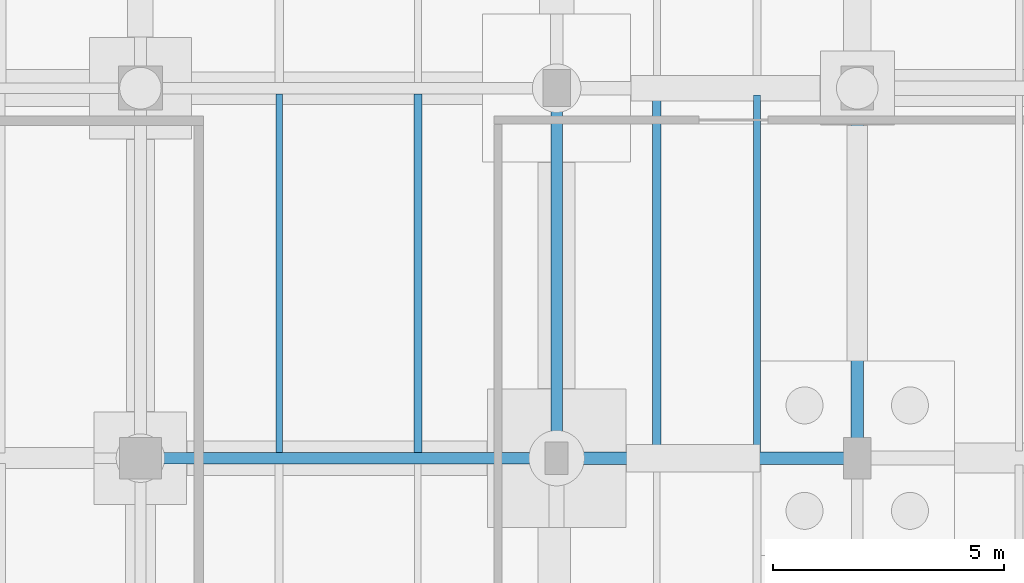
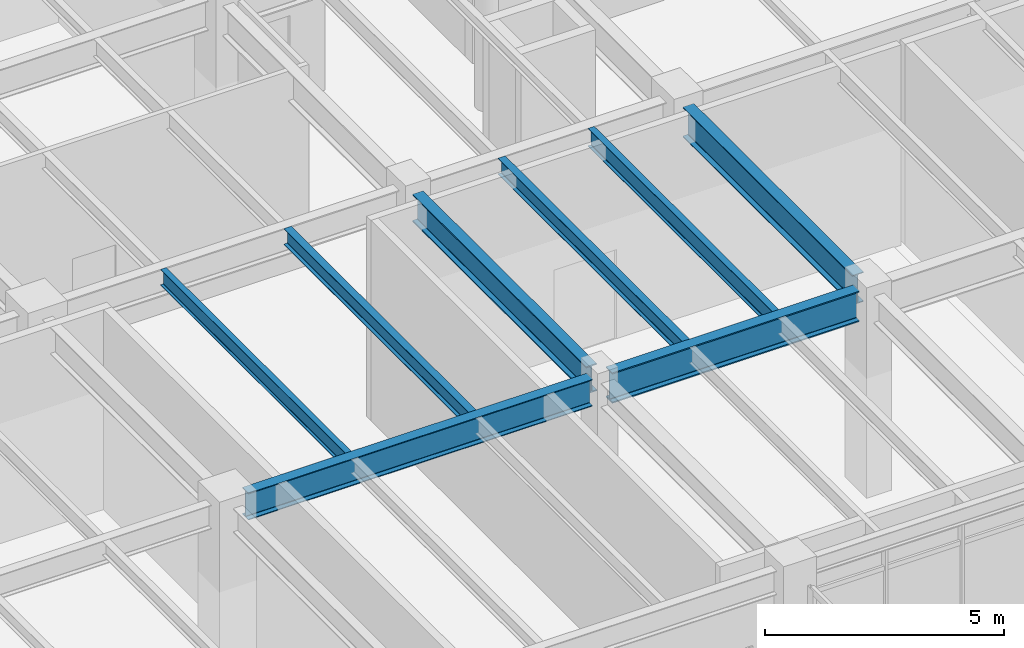
# One storey, part 128 of 203: 8 beams.
"""IFC4 building model written with IfcOpenShell, lengths in metres."""

from ifc_helpers import new_model, si_unit, direction, frame, origin, origin_2d, place, context, subcontext, project, spatial, i_section, extrude, material, material_profile, profile_set, type_object, element, save


model = new_model("IFC4")

# Units and contexts
model_context = context("Model", 3, precision=1e-05, world=origin(), true_north=direction((0.0, 1.0)))
body_context = subcontext(model_context, "Body", "Model", "MODEL_VIEW")
ifc_project = project(units=[si_unit("LENGTHUNIT", "METRE"), si_unit("AREAUNIT", "SQUARE_METRE"), si_unit("VOLUMEUNIT", "CUBIC_METRE"), si_unit("PLANEANGLEUNIT", "RADIAN"), si_unit("MASSUNIT", "GRAM", prefix="KILO"), si_unit("THERMODYNAMICTEMPERATUREUNIT", "KELVIN"), si_unit("POWERUNIT", "WATT")], contexts=[model_context])

# Site, building, storey
site_placement = place(None, origin())
site = spatial("IfcSite", under=ifc_project, at=site_placement, CompositionType="ELEMENT")
building_placement = place(site_placement, origin())
building = spatial("IfcBuilding", under=site, at=building_placement, Name="Tepalcoro Natatorium and Aquatics Centre", CompositionType="ELEMENT")
storey_placement = place(building_placement, origin())
storey = spatial("IfcBuildingStorey", under=building, at=storey_placement, Name="L00", CompositionType="ELEMENT", Elevation=0.0)

# Beams
ifc_material = material(Name="Steel ASTM A992 Grade 50 (Fy 345 MPa)", Category="steel")
ifc_material_profile_1 = material_profile(ifc_material, i_section(OverallWidth=0.25390625, OverallDepth=0.68798828125, WebThickness=0.012939453125, FlangeThickness=0.02099609375, FilletRadius=0.013916015625, at=origin_2d()), Name="W27X102")
ifc_profile_set_1 = profile_set([ifc_material_profile_1], Name="Steel ASTM A992 Grade 50 (Fy 345 MPa)")
beam_type_1 = type_object("IfcBeamType", Name="BM_W27x102", PredefinedType="BEAM", material=ifc_profile_set_1)
beam_1_placement = place(storey_placement, frame((116.43505859375, 94.0, 4.781005859375), z_axis=(1.0, 0.0, 0.0), x_axis=(0.0, 1.0, 0.0)))
element("IfcBeam", 1, at=beam_1_placement, inside=storey, type_object=beam_type_1, Name="V5 L00 Grid Girder X", PredefinedType="BEAM", context=body_context, shape_type="SweptSolid", body=[
    extrude(i_section(OverallWidth=0.25390625, OverallDepth=0.68798828125, WebThickness=0.012939453125, FlangeThickness=0.02099609375, FilletRadius=0.013916015625, at=origin_2d()), origin(), (0.0, 0.0, 1.0), 8.329833984375),
])
ifc_material_profile_2 = material_profile(ifc_material, i_section(OverallWidth=0.25390625, OverallDepth=0.700927734375, WebThickness=0.014892578125, FlangeThickness=0.028076171875, FilletRadius=0.013916015625, at=origin_2d()), Name="W27X129")
ifc_profile_set_2 = profile_set([ifc_material_profile_2], Name="Steel ASTM A992 Grade 50 (Fy 345 MPa)")
beam_type_2 = type_object("IfcBeamType", Name="BM_W27x129", PredefinedType="BEAM", material=ifc_profile_set_2)
beam_2_placement = place(storey_placement, frame((125.0, 94.3349609375, 4.7744140625), z_axis=(0.0, 1.0, 0.0), x_axis=(-1.0, 0.0, 0.0)))
element("IfcBeam", 2, at=beam_2_placement, inside=storey, type_object=beam_type_2, Name="V5 L00 Grid Girder Y", PredefinedType="BEAM", context=body_context, shape_type="SweptSolid", body=[
    extrude(i_section(OverallWidth=0.25390625, OverallDepth=0.700927734375, WebThickness=0.014892578125, FlangeThickness=0.028076171875, FilletRadius=0.013916015625, at=origin_2d()), origin(), (0.0, 0.0, 1.0), 7.280029296875),
])
ifc_material_profile_3 = material_profile(ifc_material, i_section(OverallWidth=0.26708984375, OverallDepth=0.761962890625, WebThickness=0.013916015625, FlangeThickness=0.02197265625, FilletRadius=0.013916015625, at=origin_2d()), Name="W30X116")
ifc_profile_set_3 = profile_set([ifc_material_profile_3], Name="Steel ASTM A992 Grade 50 (Fy 345 MPa)")
beam_type_3 = type_object("IfcBeamType", Name="BM_W30x116", PredefinedType="BEAM", material=ifc_profile_set_3)
beam_3_placement = place(storey_placement, frame((131.5, 94.43505859375, 4.743896484375), z_axis=(0.0, 1.0, 0.0), x_axis=(-1.0, 0.0, 0.0)))
element("IfcBeam", 3, at=beam_3_placement, inside=storey, type_object=beam_type_3, Name="V5 L00 Grid Girder Y", PredefinedType="BEAM", context=body_context, shape_type="SweptSolid", body=[
    extrude(i_section(OverallWidth=0.26708984375, OverallDepth=0.761962890625, WebThickness=0.013916015625, FlangeThickness=0.02197265625, FilletRadius=0.013916015625, at=origin_2d()), origin(), (0.0, 0.0, 1.0), 7.10498046875),
])
ifc_material_profile_4 = material_profile(ifc_material, i_section(OverallWidth=0.26708984375, OverallDepth=0.780029296875, WebThickness=0.01708984375, FlangeThickness=0.030029296875, FilletRadius=0.013916015625, at=origin_2d()), Name="W30X148")
ifc_profile_set_4 = profile_set([ifc_material_profile_4], Name="Steel ASTM A992 Grade 50 (Fy 345 MPa)")
beam_type_4 = type_object("IfcBeamType", Name="BM_W30x148", PredefinedType="BEAM", material=ifc_profile_set_4)
beam_4_placement = place(storey_placement, frame((125.235107421875, 94.0, 4.735107421875), z_axis=(1.0, 0.0, 0.0), x_axis=(0.0, 1.0, 0.0)))
element("IfcBeam", 4, at=beam_4_placement, inside=storey, type_object=beam_type_4, Name="V5 L00 Grid Girder X", PredefinedType="BEAM", context=body_context, shape_type="SweptSolid", body=[
    extrude(i_section(OverallWidth=0.26708984375, OverallDepth=0.780029296875, WebThickness=0.01708984375, FlangeThickness=0.030029296875, FilletRadius=0.013916015625, at=origin_2d()), origin(), (0.0, 0.0, 1.0), 5.97998046875),
])
ifc_material_profile_5 = material_profile(ifc_material, i_section(OverallWidth=0.139892578125, OverallDepth=0.404052734375, WebThickness=0.007080078125, FlangeThickness=0.010986328125, FilletRadius=0.013916015625, at=origin_2d()), Name="W16X31")
ifc_profile_set_5 = profile_set([ifc_material_profile_5], Name="Steel ASTM A992 Grade 50 (Fy 345 MPa)")
beam_type_5 = type_object("IfcBeamType", Name="JS_W16x31", PredefinedType="JOIST", material=ifc_profile_set_5)
beam_5_placement = place(storey_placement, frame((119.0, 94.126953125, 4.923095703125), z_axis=(0.0, 1.0, 0.0), x_axis=(-1.0, 0.0, 0.0)))
element("IfcBeam", 5, at=beam_5_placement, inside=storey, type_object=beam_type_5, Name="V5 L00 Floor Joist", PredefinedType="JOIST", context=body_context, shape_type="SweptSolid", body=[
    extrude(i_section(OverallWidth=0.139892578125, OverallDepth=0.404052734375, WebThickness=0.007080078125, FlangeThickness=0.010986328125, FilletRadius=0.013916015625, at=origin_2d()), origin(), (0.0, 0.0, 1.0), 7.74609375),
])
ifc_material_profile_6 = material_profile(ifc_material, i_section(OverallWidth=0.178955078125, OverallDepth=0.409912109375, WebThickness=0.009033203125, FlangeThickness=0.013916015625, FilletRadius=0.013916015625, at=origin_2d()), Name="W16X45")
ifc_profile_set_6 = profile_set([ifc_material_profile_6], Name="Steel ASTM A992 Grade 50 (Fy 345 MPa)")
beam_type_6 = type_object("IfcBeamType", Name="JS_W16x45", PredefinedType="JOIST", material=ifc_profile_set_6)
beam_6_placement = place(storey_placement, frame((122.0, 94.126953125, 4.919921875), z_axis=(0.0, 1.0, 0.0), x_axis=(-1.0, 0.0, 0.0)))
element("IfcBeam", 6, at=beam_6_placement, inside=storey, type_object=beam_type_6, Name="V5 L00 Floor Joist", PredefinedType="JOIST", context=body_context, shape_type="SweptSolid", body=[
    extrude(i_section(OverallWidth=0.178955078125, OverallDepth=0.409912109375, WebThickness=0.009033203125, FlangeThickness=0.013916015625, FilletRadius=0.013916015625, at=origin_2d()), origin(), (0.0, 0.0, 1.0), 7.74609375),
])
beam_7_placement = place(storey_placement, frame((127.166748046875, 94.133544921875, 4.919921875), z_axis=(0.0, 1.0, 0.0), x_axis=(-1.0, 0.0, 0.0)))
element("IfcBeam", 7, at=beam_7_placement, inside=storey, type_object=beam_type_6, Name="V5 L00 Floor Joist", PredefinedType="JOIST", context=body_context, shape_type="SweptSolid", body=[
    extrude(i_section(OverallWidth=0.178955078125, OverallDepth=0.409912109375, WebThickness=0.009033203125, FlangeThickness=0.013916015625, FilletRadius=0.013916015625, at=origin_2d()), origin(), (0.0, 0.0, 1.0), 7.720458984375),
])
ifc_material_profile_7 = material_profile(ifc_material, i_section(OverallWidth=0.153076171875, OverallDepth=0.455078125, WebThickness=0.008056640625, FlangeThickness=0.012939453125, FilletRadius=0.013916015625, at=origin_2d()), Name="W18X40")
ifc_profile_set_7 = profile_set([ifc_material_profile_7], Name="Steel ASTM A992 Grade 50 (Fy 345 MPa)")
beam_type_7 = type_object("IfcBeamType", Name="JS_W18x40", PredefinedType="JOIST", material=ifc_profile_set_7)
beam_8_placement = place(storey_placement, frame((129.333251953125, 94.133544921875, 4.8974609375), z_axis=(0.0, 1.0, 0.0), x_axis=(-1.0, 0.0, 0.0)))
element("IfcBeam", 8, at=beam_8_placement, inside=storey, type_object=beam_type_7, Name="V5 L00 Floor Joist", PredefinedType="JOIST", context=body_context, shape_type="SweptSolid", body=[
    extrude(i_section(OverallWidth=0.153076171875, OverallDepth=0.455078125, WebThickness=0.008056640625, FlangeThickness=0.012939453125, FilletRadius=0.013916015625, at=origin_2d()), origin(), (0.0, 0.0, 1.0), 7.720458984375),
])

save(model, "model.ifc")
